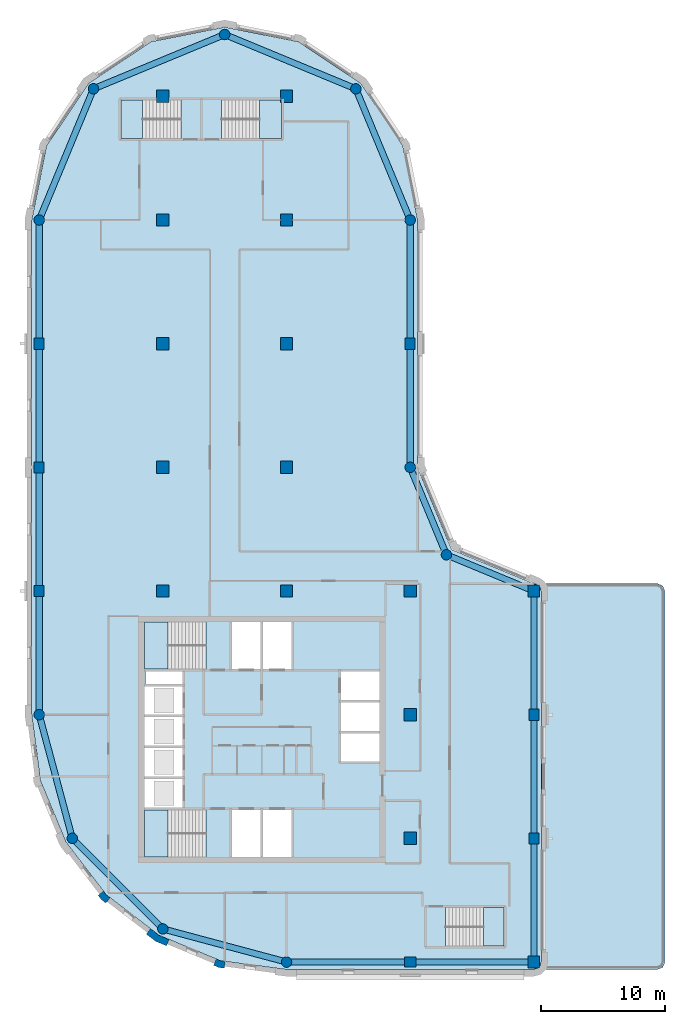
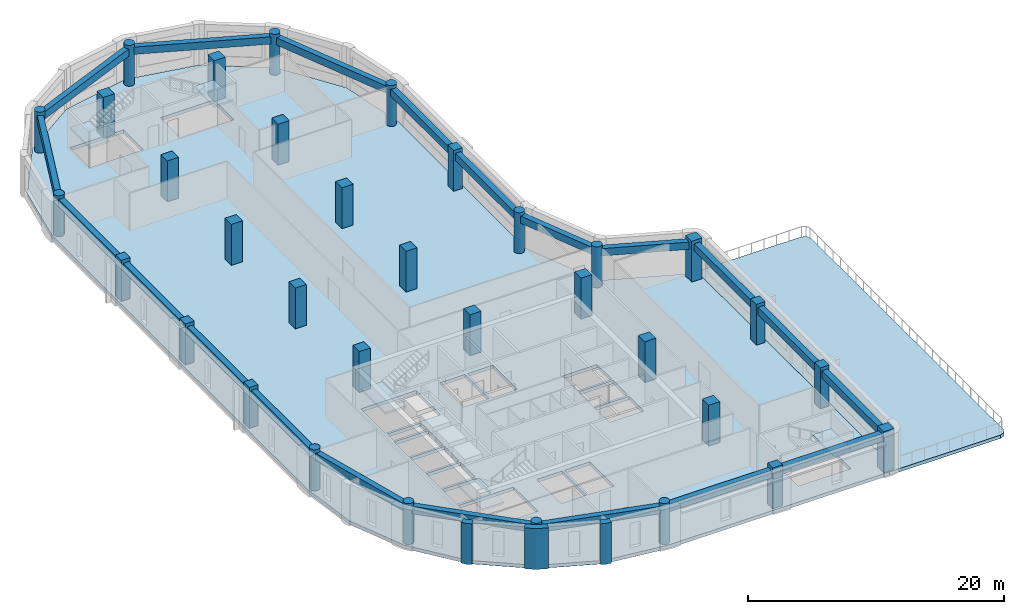
# One storey, part 1 of 8: 33 columns, 20 beams, 7 slabs, 3 walls, 5 elements without a shape of their own.
"""IFC4 building model written with IfcOpenShell, lengths in metres."""

from ifc_helpers import new_model, si_unit, direction, frame, origin, origin_2d, place, context, subcontext, project, spatial, polyline, rectangle, circle, outline, extrude, material, layer, layer_set, material_profile, profile_set, type_object, element, aggregate, save


model = new_model("IFC4")

# Units and contexts
model_context = context("Model", 3, precision=1e-05, world=origin(), true_north=direction((0.0, 1.0)))
body_context = subcontext(model_context, "Body", "Model", "MODEL_VIEW")
ifc_project = project(units=[si_unit("LENGTHUNIT", "METRE"), si_unit("AREAUNIT", "SQUARE_METRE"), si_unit("VOLUMEUNIT", "CUBIC_METRE"), si_unit("PLANEANGLEUNIT", "RADIAN"), si_unit("MASSUNIT", "GRAM", prefix="KILO")], contexts=[model_context])

# Site, building, storey
site_placement = place(None, origin())
site = spatial("IfcSite", under=ifc_project, at=site_placement, CompositionType="ELEMENT")
building_placement = place(site_placement, origin())
building = spatial("IfcBuilding", under=site, at=building_placement, Name="Qaws Garden Tower", CompositionType="ELEMENT")
storey_placement = place(building_placement, frame((0.0, 0.0, 278.699951171875)))
storey = spatial("IfcBuildingStorey", under=building, at=storey_placement, Name="L67", CompositionType="ELEMENT", Elevation=278.699951171875)

# Columns
ifc_material_1 = material(Name="Concrete C60", Category="concrete")
ifc_material_profile_1 = material_profile(ifc_material_1, rectangle(XDim=1.0, YDim=1.0, at=origin_2d()), Name="RC 1000x1000")
ifc_profile_set_1 = profile_set([ifc_material_profile_1], Name="Concrete C60")
column_type_1 = type_object("IfcColumnType", Name="Column RC 1000x1000 C60", PredefinedType="COLUMN", material=ifc_profile_set_1)
for number, where, z_axis, x_axis, name in (
    (1, (10.0, 30.0, 0.0), (0.0, 0.0, 1.0), (1.0, 0.0, 0.0), "Column L67-021"),
    (2, (10.0, 40.0, 0.0), (0.0, 0.0, 1.0), (1.0, 0.0, 0.0), "Column L67-022"),
    (3, (10.0, 50.0, 0.0), (0.0, 0.0, 1.0), (1.0, 0.0, 0.0), "Column L67-023"),
    (4, (10.0, 60.0, 0.0), (0.0, 0.0, 1.0), (1.0, 0.0, 0.0), "Column L67-024"),
    (5, (10.0, 70.0, 0.0), (0.0, 0.0, 1.0), (1.0, 0.0, 0.0), "Column L67-025"),
    (6, (20.0, 30.0, 0.0), (0.0, 0.0, 1.0), (1.0, 0.0, 0.0), "Column L67-026"),
    (7, (20.0, 40.0, 0.0), (0.0, 0.0, 1.0), (1.0, 0.0, 0.0), "Column L67-027"),
    (8, (20.0, 50.0, 0.0), (0.0, 0.0, 1.0), (1.0, 0.0, 0.0), "Column L67-028"),
    (9, (20.0, 60.0, 0.0), (0.0, 0.0, 1.0), (1.0, 0.0, 0.0), "Column L67-029"),
    (10, (20.0, 70.0, 0.0), (0.0, 0.0, 1.0), (1.0, 0.0, 0.0), "Column L67-030"),
    (11, (30.0, 10.0, 0.0), (0.0, 0.0, 1.0), (1.0, 0.0, 0.0), "Column L67-031"),
    (12, (30.0, 20.0, 0.0), (0.0, 0.0, 1.0), (1.0, 0.0, 0.0), "Column L67-032"),
    (13, (30.0, 30.0, 0.0), (0.0, 0.0, 1.0), (1.0, 0.0, 0.0), "Column L67-033"),
):
    element("IfcColumn", number, at=place(storey_placement, frame(where, z_axis=z_axis, x_axis=x_axis)), inside=storey, type_object=column_type_1, Name=name, PredefinedType="COLUMN", context=body_context, shape_type="SweptSolid", body=[
        extrude(rectangle(XDim=1.0, YDim=1.0, at=origin_2d()), origin(), (0.0, 0.0, 1.0), 3.900146484375),
    ])
ifc_material_2 = material(Name="Concrete C60", Category="concrete")
ifc_material_profile_2 = material_profile(ifc_material_2, rectangle(XDim=0.89990234375, YDim=0.800048828125, at=origin_2d()), Name="RC 900x800")
ifc_profile_set_2 = profile_set([ifc_material_profile_2], Name="Concrete C60")
column_type_2 = type_object("IfcColumnType", Name="Column RC 900x800 C60", PredefinedType="COLUMN", material=ifc_profile_set_2)
for number, where, z_axis, x_axis, name in (
    (14, (30.0, 0.0, 0.0), (0.0, 0.0, 1.0), (1.0, 0.0, 0.0), "Column L67-002"),
    (15, (40.0, 10.0, 0.0), (0.0, 0.0, 1.0), (0.0, 1.0, 0.0), "Column L67-004"),
    (16, (40.0, 20.0, 0.0), (0.0, 0.0, 1.0), (0.0, 1.0, 0.0), "Column L67-005"),
    (17, (30.0, 50.0, 0.0), (0.0, 0.0, 1.0), (0.0, 1.0, 0.0), "Column L67-009"),
    (18, (0.0, 50.0, 0.0), (0.0, 0.0, 1.0), (0.0, 1.0, 0.0), "Column L67-015"),
    (19, (0.0, 40.0, 0.0), (0.0, 0.0, 1.0), (0.0, 1.0, 0.0), "Column L67-016"),
    (20, (0.0, 30.0, 0.0), (0.0, 0.0, 1.0), (0.0, 1.0, 0.0), "Column L67-017"),
):
    element("IfcColumn", number, at=place(storey_placement, frame(where, z_axis=z_axis, x_axis=x_axis)), inside=storey, type_object=column_type_2, Name=name, PredefinedType="COLUMN", context=body_context, shape_type="SweptSolid", body=[
        extrude(rectangle(XDim=0.89990234375, YDim=0.800048828125, at=origin_2d()), origin(), (0.0, 0.0, 1.0), 3.900146484375),
    ])
ifc_material_3 = material(Name="Concrete C60", Category="concrete")
ifc_material_profile_3 = material_profile(ifc_material_3, rectangle(XDim=0.949951171875, YDim=0.949951171875, at=origin_2d()), Name="RC 950x950")
ifc_profile_set_3 = profile_set([ifc_material_profile_3], Name="Concrete C60")
column_type_3 = type_object("IfcColumnType", Name="Column RC 950x950 C60", PredefinedType="COLUMN", material=ifc_profile_set_3)
for number, where, z_axis, x_axis, name in (
    (21, (40.0, 0.0, 0.0), (0.0, 0.0, 1.0), (1.0, 0.0, 0.0), "Column L67-003"),
    (22, (40.0, 30.0, 0.0), (0.0, 0.0, 1.0), (1.0, 0.0, 0.0), "Column L67-006"),
):
    element("IfcColumn", number, at=place(storey_placement, frame(where, z_axis=z_axis, x_axis=x_axis)), inside=storey, type_object=column_type_3, Name=name, PredefinedType="COLUMN", context=body_context, shape_type="SweptSolid", body=[
        extrude(rectangle(XDim=0.949951171875, YDim=0.949951171875, at=origin_2d()), origin(), (0.0, 0.0, 1.0), 3.900146484375),
    ])
ifc_material_4 = material(Name="Concrete C60", Category="concrete")
ifc_material_profile_4 = material_profile(ifc_material_4, circle(Radius=0.425048828125, at=origin_2d()), Name="RC D850")
ifc_profile_set_4 = profile_set([ifc_material_profile_4], Name="Concrete C60")
column_type_4 = type_object("IfcColumnType", Name="Column RC D850 C60", PredefinedType="COLUMN", material=ifc_profile_set_4)
for number, where, z_axis, x_axis, name in (
    (23, (20.0, 0.0, 0.0), (0.0, 0.0, 1.0), (1.0, 0.0, 0.0), "Column L67-001"),
    (24, (32.928955078125, 32.928955078125, 0.0), (0.0, 0.0, 1.0), (1.0, 0.0, 0.0), "Column L67-007"),
    (25, (30.0, 40.0, 0.0), (0.0, 0.0, 1.0), (1.0, 0.0, 0.0), "Column L67-008"),
    (26, (30.0, 60.0, 0.0), (0.0, 0.0, 1.0), (1.0, 0.0, 0.0), "Column L67-010"),
    (27, (25.606689453125, 70.606689453125, 0.0), (0.0, 0.0, 1.0), (1.0, 0.0, 0.0), "Column L67-011"),
    (28, (15.0, 75.0, 0.0), (0.0, 0.0, 1.0), (1.0, 0.0, 0.0), "Column L67-012"),
    (29, (4.393310546875, 70.606689453125, 0.0), (0.0, 0.0, 1.0), (1.0, 0.0, 0.0), "Column L67-013"),
    (30, (0.0, 60.0, 0.0), (0.0, 0.0, 1.0), (1.0, 0.0, 0.0), "Column L67-014"),
    (31, (0.0, 20.0, 0.0), (0.0, 0.0, 1.0), (1.0, 0.0, 0.0), "Column L67-018"),
    (32, (2.679443359375, 10.0, 0.0), (0.0, 0.0, 1.0), (1.0, 0.0, 0.0), "Column L67-019"),
    (33, (10.0, 2.679443359375, 0.0), (0.0, 0.0, 1.0), (1.0, 0.0, 0.0), "Column L67-020"),
):
    element("IfcColumn", number, at=place(storey_placement, frame(where, z_axis=z_axis, x_axis=x_axis)), inside=storey, type_object=column_type_4, Name=name, PredefinedType="COLUMN", context=body_context, shape_type="SweptSolid", body=[
        extrude(circle(Radius=0.425048828125, at=origin_2d()), origin(), (0.0, 0.0, 1.0), 3.900146484375),
    ])

# Beams
ifc_material_5 = material(Name="Concrete C45", Category="concrete")
ifc_material_profile_5 = material_profile(ifc_material_5, rectangle(XDim=0.5, YDim=0.699951171875, at=origin_2d()), Name="RC 500x700")
ifc_profile_set_5 = profile_set([ifc_material_profile_5], Name="Concrete C45")
beam_type = type_object("IfcBeamType", Name="Spandrel beam RC 500x700 C45", PredefinedType="SPANDREL", material=ifc_profile_set_5)
for number, where, z_axis, x_axis, name in (
    (34, (20.0, 0.0, 3.22998046875), (1.0, 0.0, 0.0), (0.0, 1.0, 0.0), "Spandrel beam L67-001"),
    (35, (30.0, 0.0, 3.22998046875), (1.0, 0.0, 0.0), (0.0, 1.0, 0.0), "Spandrel beam L67-002"),
    (36, (40.0, 0.0, 3.22998046875), (0.0, 1.0, 0.0), (-1.0, 0.0, 0.0), "Spandrel beam L67-003"),
    (37, (40.0, 10.0, 3.22998046875), (0.0, 1.0, 0.0), (-1.0, 0.0, 0.0), "Spandrel beam L67-004"),
    (38, (40.0, 20.0, 3.22998046875), (0.0, 1.0, 0.0), (-1.0, 0.0, 0.0), "Spandrel beam L67-005"),
):
    element("IfcBeam", number, at=place(storey_placement, frame(where, z_axis=z_axis, x_axis=x_axis)), inside=storey, type_object=beam_type, Name=name, PredefinedType="SPANDREL", context=body_context, shape_type="SweptSolid", body=[
        extrude(rectangle(XDim=0.5, YDim=0.699951171875, at=origin_2d()), origin(), (0.0, 0.0, 1.0), 10.0),
    ])
for number, where, z_axis, x_axis, name in (
    (39, (40.0, 30.0, 3.22998046875), (-0.923878037141, 0.382687042488, 0.0), (-0.382687042488, -0.923878037141, 0.0), "Spandrel beam L67-006"),
    (40, (32.928955078125, 32.928955078125, 3.22998046875), (-0.382687042488, 0.923878037141, 0.0), (-0.923878037141, -0.382687042488, 0.0), "Spandrel beam L67-007"),
):
    element("IfcBeam", number, at=place(storey_placement, frame(where, z_axis=z_axis, x_axis=x_axis)), inside=storey, type_object=beam_type, Name=name, PredefinedType="SPANDREL", context=body_context, shape_type="SweptSolid", body=[
        extrude(rectangle(XDim=0.5, YDim=0.699951171875, at=origin_2d()), origin(), (0.0, 0.0, 1.0), 7.653564453125),
    ])
for number, where, z_axis, x_axis, name in (
    (41, (30.0, 40.0, 3.22998046875), (0.0, 1.0, 0.0), (-1.0, 0.0, 0.0), "Spandrel beam L67-008"),
    (42, (30.0, 50.0, 3.22998046875), (0.0, 1.0, 0.0), (-1.0, 0.0, 0.0), "Spandrel beam L67-009"),
):
    element("IfcBeam", number, at=place(storey_placement, frame(where, z_axis=z_axis, x_axis=x_axis)), inside=storey, type_object=beam_type, Name=name, PredefinedType="SPANDREL", context=body_context, shape_type="SweptSolid", body=[
        extrude(rectangle(XDim=0.5, YDim=0.699951171875, at=origin_2d()), origin(), (0.0, 0.0, 1.0), 10.0),
    ])
for number, where, z_axis, x_axis, name in (
    (43, (30.0, 60.0, 3.22998046875), (-0.382674207535, 0.923883353507, 0.0), (-0.923883353507, -0.382674207535, 0.0), "Spandrel beam L67-010"),
    (44, (25.606689453125, 70.606689453125, 3.22998046875), (-0.923883353507, 0.382674207535, 0.0), (-0.382674207535, -0.923883353507, 0.0), "Spandrel beam L67-011"),
    (45, (15.0, 75.0, 3.22998046875), (-0.923883353507, -0.382674207535, 0.0), (0.382674207535, -0.923883353507, 0.0), "Spandrel beam L67-012"),
    (46, (4.393310546875, 70.606689453125, 3.22998046875), (-0.382674207535, -0.923883353507, 0.0), (0.923883353507, -0.382674207535, 0.0), "Spandrel beam L67-013"),
):
    element("IfcBeam", number, at=place(storey_placement, frame(where, z_axis=z_axis, x_axis=x_axis)), inside=storey, type_object=beam_type, Name=name, PredefinedType="SPANDREL", context=body_context, shape_type="SweptSolid", body=[
        extrude(rectangle(XDim=0.5, YDim=0.699951171875, at=origin_2d()), origin(), (0.0, 0.0, 1.0), 11.48046875),
    ])
for number, where, z_axis, x_axis, name in (
    (47, (0.0, 60.0, 3.22998046875), (0.0, -1.0, 0.0), (1.0, 0.0, 0.0), "Spandrel beam L67-014"),
    (48, (0.0, 50.0, 3.22998046875), (0.0, -1.0, 0.0), (1.0, 0.0, 0.0), "Spandrel beam L67-015"),
    (49, (0.0, 40.0, 3.22998046875), (0.0, -1.0, 0.0), (1.0, 0.0, 0.0), "Spandrel beam L67-016"),
    (50, (0.0, 30.0, 3.22998046875), (0.0, -1.0, 0.0), (1.0, 0.0, 0.0), "Spandrel beam L67-017"),
):
    element("IfcBeam", number, at=place(storey_placement, frame(where, z_axis=z_axis, x_axis=x_axis)), inside=storey, type_object=beam_type, Name=name, PredefinedType="SPANDREL", context=body_context, shape_type="SweptSolid", body=[
        extrude(rectangle(XDim=0.5, YDim=0.699951171875, at=origin_2d()), origin(), (0.0, 0.0, 1.0), 10.0),
    ])
for number, where, z_axis, x_axis, name in (
    (51, (0.0, 20.0, 3.22998046875), (0.25881466832, -0.965926999034, 0.0), (0.965926999034, 0.25881466832, 0.0), "Spandrel beam L67-018"),
    (52, (2.679443359375, 10.0, 3.22998046875), (0.707106781187, -0.707106781187, 0.0), (0.707106781187, 0.707106781187, 0.0), "Spandrel beam L67-019"),
    (53, (10.0, 2.679443359375, 3.22998046875), (0.965926999034, -0.25881466832, 0.0), (0.25881466832, 0.965926999034, 0.0), "Spandrel beam L67-020"),
):
    element("IfcBeam", number, at=place(storey_placement, frame(where, z_axis=z_axis, x_axis=x_axis)), inside=storey, type_object=beam_type, Name=name, PredefinedType="SPANDREL", context=body_context, shape_type="SweptSolid", body=[
        extrude(rectangle(XDim=0.5, YDim=0.699951171875, at=origin_2d()), origin(), (0.0, 0.0, 1.0), 10.352783203125),
    ])

# Slab
ifc_material_6 = material(Name="Concrete C40", Category="concrete")
ifc_layer_1 = layer(ifc_material_6, 0.320068359375)
ifc_layer_set_1 = layer_set([ifc_layer_1], Name="Concrete C40")
slab_type_1 = type_object("IfcSlabType", Name="Floor slab 320 C40", PredefinedType="FLOOR", material=ifc_layer_set_1)
placement_1 = place(storey_placement, frame((0.0, 0.0, -0.320068359375)))
element("IfcSlab", 54, at=placement_1, inside=storey, type_object=slab_type_1, Name="Floor slab L67", PredefinedType="FLOOR", context=body_context, shape_type="SweptSolid", body=[
    extrude(outline(polyline([(0.101806640625, 14.668212890625), (-0.60009765625, 20.0), (-0.60009765625, 30.60009765625), (-0.60009765625, 60.0), (-0.60009765625, 60.0), (0.58740234375, 65.969970703125), (3.968994140625, 71.031005859375), (9.030029296875, 74.41259765625), (15.0, 75.60009765625), (20.969970703125, 74.41259765625), (26.031005859375, 71.031005859375), (29.41259765625, 65.969970703125), (30.60009765625, 60.0), (30.60009765625, 40.0), (33.353271484375, 33.353271484375), (40.0, 30.60009765625), (40.42431640625, 30.42431640625), (40.60009765625, 30.0), (40.60009765625, 0.0), (40.42431640625, -0.42431640625), (40.0, -0.60009765625), (30.60009765625, -0.60009765625), (20.0, -0.60009765625), (14.668212890625, 0.101806640625), (9.699951171875, 2.159912109375), (5.43359375, 5.43359375), (2.159912109375, 9.699951171875), (0.101806640625, 14.668212890625)]), holes=[polyline([(13.49951171875, 12.300048828125), (8.5, 12.300048828125), (8.5, 8.5), (13.49951171875, 8.5), (13.49951171875, 12.300048828125)]), polyline([(17.89990234375, 12.300048828125), (15.60009765625, 12.300048828125), (15.60009765625, 8.5), (17.89990234375, 8.5), (17.89990234375, 12.300048828125)]), polyline([(11.60009765625, 14.800048828125), (8.5, 14.800048828125), (8.5, 12.5), (11.60009765625, 12.5), (11.60009765625, 14.800048828125)]), polyline([(11.60009765625, 17.300048828125), (8.5, 17.300048828125), (8.5, 15.0), (11.60009765625, 15.0), (11.60009765625, 17.300048828125)]), polyline([(11.60009765625, 19.800048828125), (8.5, 19.800048828125), (8.5, 17.5), (11.60009765625, 17.5), (11.60009765625, 19.800048828125)]), polyline([(11.60009765625, 22.300048828125), (8.5, 22.300048828125), (8.5, 20.0), (11.60009765625, 20.0), (11.60009765625, 22.300048828125)]), polyline([(11.60009765625, 23.5), (8.60009765625, 23.5), (8.60009765625, 22.5), (11.60009765625, 22.5), (11.60009765625, 23.5)]), polyline([(13.49951171875, 27.5), (8.5, 27.5), (8.5, 23.699951171875), (13.49951171875, 23.699951171875), (13.49951171875, 27.5)]), polyline([(11.449462890625, 69.699951171875), (6.60009765625, 69.699951171875), (6.60009765625, 66.60009765625), (11.449462890625, 66.60009765625), (11.449462890625, 69.699951171875)]), polyline([(37.60009765625, 4.39990234375), (32.8505859375, 4.39990234375), (32.8505859375, 1.300048828125), (37.60009765625, 1.300048828125), (37.60009765625, 4.39990234375)]), polyline([(20.39990234375, 12.300048828125), (18.10009765625, 12.300048828125), (18.10009765625, 8.5), (20.39990234375, 8.5), (20.39990234375, 12.300048828125)]), polyline([(27.5, 18.5), (24.39990234375, 18.5), (24.39990234375, 16.199951171875), (27.5, 16.199951171875), (27.5, 18.5)]), polyline([(27.5, 21.0), (24.39990234375, 21.0), (24.39990234375, 18.699951171875), (27.5, 18.699951171875), (27.5, 21.0)]), polyline([(27.5, 23.5), (24.39990234375, 23.5), (24.39990234375, 21.199951171875), (27.5, 21.199951171875), (27.5, 23.5)]), polyline([(17.89990234375, 27.5), (15.60009765625, 27.5), (15.60009765625, 23.699951171875), (17.89990234375, 23.699951171875), (17.89990234375, 27.5)]), polyline([(20.39990234375, 23.699951171875), (20.39990234375, 27.5), (18.10009765625, 27.5), (18.10009765625, 23.699951171875), (20.39990234375, 23.699951171875)]), polyline([(19.60009765625, 66.60009765625), (19.60009765625, 69.699951171875), (14.75048828125, 69.699951171875), (14.75048828125, 66.60009765625), (19.60009765625, 66.60009765625)])]), origin(), (0.0, 0.0, 1.0), 0.320068359375),
])

# Stair, slab
ifc_material_7 = material(Name="Concrete C40", Category="concrete")
stair_type_1 = type_object("IfcStairType", Name="Exit stair 1500", PredefinedType="HALF_TURN_STAIR", material=ifc_material_7)
placement_2 = place(storey_placement, origin())
stair_1 = element("IfcStair", 55, at=placement_2, inside=storey, type_object=stair_type_1, Name="Stair 1", PredefinedType="HALF_TURN_STAIR")
ifc_material_8 = material(Name="Concrete C40", Category="concrete")
ifc_layer_2 = layer(ifc_material_8, 0.199951171875)
ifc_layer_set_2 = layer_set([ifc_layer_2], Name="Concrete C40")
slab_type_2 = type_object("IfcSlabType", Name="Stair landing 200", PredefinedType="LANDING", material=ifc_layer_set_2)
placement_3 = place(storey_placement, frame((0.0, 0.0, 1.75)))
slab_2 = element("IfcSlab", 56, at=placement_3, type_object=slab_type_2, Name="ST1 landing 1", PredefinedType="LANDING", context=body_context, shape_type="SweptSolid", body=[
    extrude(outline(polyline([(8.5, 8.5), (10.419921875, 8.5), (10.419921875, 12.300048828125), (8.5, 12.300048828125), (8.5, 8.5)])), origin(), (0.0, 0.0, 1.0), 0.199951171875),
])
aggregate(stair_1, [slab_2])

stair_2 = element("IfcStair", 57, at=placement_2, inside=storey, type_object=stair_type_1, Name="Stair 4", PredefinedType="HALF_TURN_STAIR")
slab_3 = element("IfcSlab", 58, at=placement_3, type_object=slab_type_2, Name="ST4 landing 1", PredefinedType="LANDING", context=body_context, shape_type="SweptSolid", body=[
    extrude(outline(polyline([(8.5, 23.699951171875), (10.419921875, 23.699951171875), (10.419921875, 27.5), (8.5, 27.5), (8.5, 23.699951171875)])), origin(), (0.0, 0.0, 1.0), 0.199951171875),
])
aggregate(stair_2, [slab_3])

ifc_material_9 = material(Name="Concrete C40", Category="concrete")
stair_type_2 = type_object("IfcStairType", Name="Exit stair 1350", PredefinedType="HALF_TURN_STAIR", material=ifc_material_9)
stair_3 = element("IfcStair", 59, at=placement_2, inside=storey, type_object=stair_type_2, Name="Stair 5", PredefinedType="HALF_TURN_STAIR")
slab_4 = element("IfcSlab", 60, at=placement_3, type_object=slab_type_2, Name="ST5 landing 1", PredefinedType="LANDING", context=body_context, shape_type="SweptSolid", body=[
    extrude(outline(polyline([(35.929931640625, 1.300048828125), (37.60009765625, 1.300048828125), (37.60009765625, 4.39990234375), (35.929931640625, 4.39990234375), (35.929931640625, 1.300048828125)])), origin(), (0.0, 0.0, 1.0), 0.199951171875),
])
aggregate(stair_3, [slab_4])

stair_4 = element("IfcStair", 61, at=placement_2, inside=storey, type_object=stair_type_2, Name="Stair 6", PredefinedType="HALF_TURN_STAIR")
slab_5 = element("IfcSlab", 62, at=placement_3, type_object=slab_type_2, Name="ST6 landing 1", PredefinedType="LANDING", context=body_context, shape_type="SweptSolid", body=[
    extrude(outline(polyline([(6.60009765625, 66.60009765625), (8.3701171875, 66.60009765625), (8.3701171875, 69.699951171875), (6.60009765625, 69.699951171875), (6.60009765625, 66.60009765625)])), origin(), (0.0, 0.0, 1.0), 0.199951171875),
])
aggregate(stair_4, [slab_5])

stair_5 = element("IfcStair", 63, at=placement_2, inside=storey, type_object=stair_type_2, Name="Stair 7", PredefinedType="HALF_TURN_STAIR")
slab_6 = element("IfcSlab", 64, at=placement_3, type_object=slab_type_2, Name="ST7 landing 1", PredefinedType="LANDING", context=body_context, shape_type="SweptSolid", body=[
    extrude(outline(polyline([(17.830078125, 66.60009765625), (19.60009765625, 66.60009765625), (19.60009765625, 69.699951171875), (17.830078125, 69.699951171875), (17.830078125, 66.60009765625)])), origin(), (0.0, 0.0, 1.0), 0.199951171875),
])
aggregate(stair_5, [slab_6])

# Slab
ifc_material_10 = material(Name="Concrete C40", Category="concrete")
ifc_layer_3 = layer(ifc_material_10, 0.320068359375)
ifc_layer_set_3 = layer_set([ifc_layer_3], Name="Concrete C40")
slab_type_3 = type_object("IfcSlabType", Name="Terrace slab 320 C40", PredefinedType="FLOOR", material=ifc_layer_set_3)
element("IfcSlab", 65, at=placement_1, inside=storey, type_object=slab_type_3, Name="Terrace slab L67", PredefinedType="FLOOR", context=body_context, shape_type="SweptSolid", body=[
    extrude(outline(polyline([(50.0, 30.60009765625), (50.42431640625, 30.42431640625), (50.60009765625, 30.0), (50.60009765625, 0.0), (50.42431640625, -0.42431640625), (50.0, -0.60009765625), (40.0, -0.60009765625), (40.42431640625, -0.42431640625), (40.60009765625, 0.0), (40.60009765625, 30.0), (40.42431640625, 30.42431640625), (40.0, 30.60009765625), (50.0, 30.60009765625)])), origin(), (0.0, 0.0, 1.0), 0.320068359375),
])

# Walls
ifc_material_11 = material(Name="Clay facing brick masonry", Category="masonry")
ifc_layer_4 = layer(ifc_material_11, 0.550048828125)
ifc_layer_set_4 = layer_set([ifc_layer_4], Name="Clay facing brick masonry")
wall_type_1 = type_object("IfcWallType", Name="Brick kink pier 550 x 600", PredefinedType="SOLIDWALL", material=ifc_layer_set_4)
element("IfcWall", 66, at=placement_2, inside=storey, type_object=wall_type_1, Name="E-L67-pier-24", PredefinedType="SOLIDWALL", context=body_context, shape_type="SweptSolid", body=[
    extrude(outline(polyline([(4.8818359375, 5.487060546875), (4.762939453125, 5.395751953125), (5.03759765625, 5.03759765625), (5.395751953125, 4.762939453125), (5.487060546875, 4.8818359375), (5.730712890625, 5.19921875), (5.429931640625, 5.429931640625), (5.19921875, 5.730712890625), (4.8818359375, 5.487060546875)])), origin(), (0.0, 0.0, 1.0), 3.900146484375),
])
element("IfcWall", 67, at=placement_2, inside=storey, type_object=wall_type_1, Name="E-L67-pier-26", PredefinedType="SOLIDWALL", context=body_context, shape_type="SweptSolid", body=[
    extrude(outline(polyline([(14.163818359375, -0.127685546875), (14.1064453125, -0.26611328125), (14.5234375, -0.43896484375), (14.970947265625, -0.497802734375), (14.990478515625, -0.34912109375), (15.042724609375, 0.04736328125), (14.6669921875, 0.096923828125), (14.31689453125, 0.241943359375), (14.163818359375, -0.127685546875)])), origin(), (0.0, 0.0, 1.0), 3.900146484375),
])
ifc_material_12 = material(Name="Clay facing brick masonry", Category="masonry")
ifc_layer_5 = layer(ifc_material_12, 0.550048828125)
ifc_layer_set_5 = layer_set([ifc_layer_5], Name="Clay facing brick masonry")
wall_type_2 = type_object("IfcWallType", Name="Brick pier 550 x 1600", PredefinedType="SOLIDWALL", material=ifc_layer_set_5)
element("IfcWall", 68, at=placement_2, inside=storey, type_object=wall_type_2, Name="E-L67-pier-25", PredefinedType="SOLIDWALL", context=body_context, shape_type="SweptSolid", body=[
    extrude(outline(polyline([(8.756591796875, 2.373046875), (8.665283203125, 2.254150390625), (9.419921875, 1.675048828125), (10.299072265625, 1.310791015625), (10.3564453125, 1.449462890625), (10.509521484375, 1.819091796875), (9.697509765625, 2.1552734375), (9.0, 2.6904296875), (8.756591796875, 2.373046875)])), origin(), (0.0, 0.0, 1.0), 3.900146484375),
])

save(model, "model.ifc")
